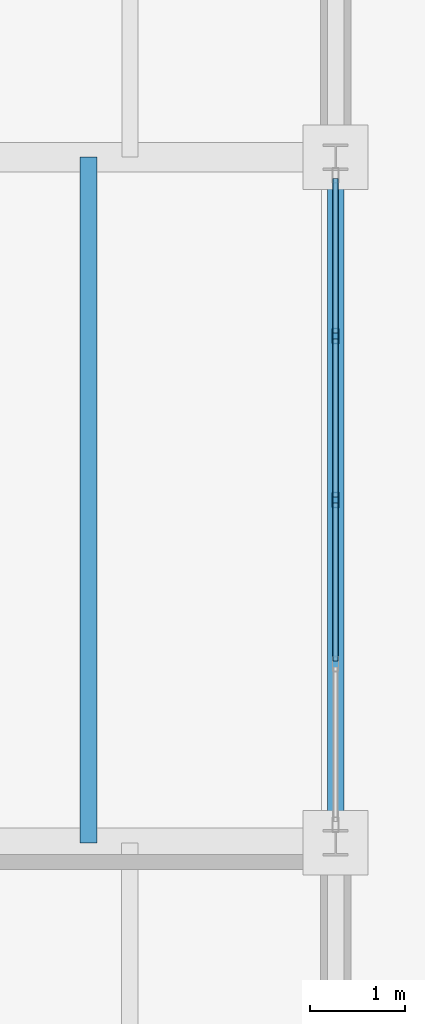
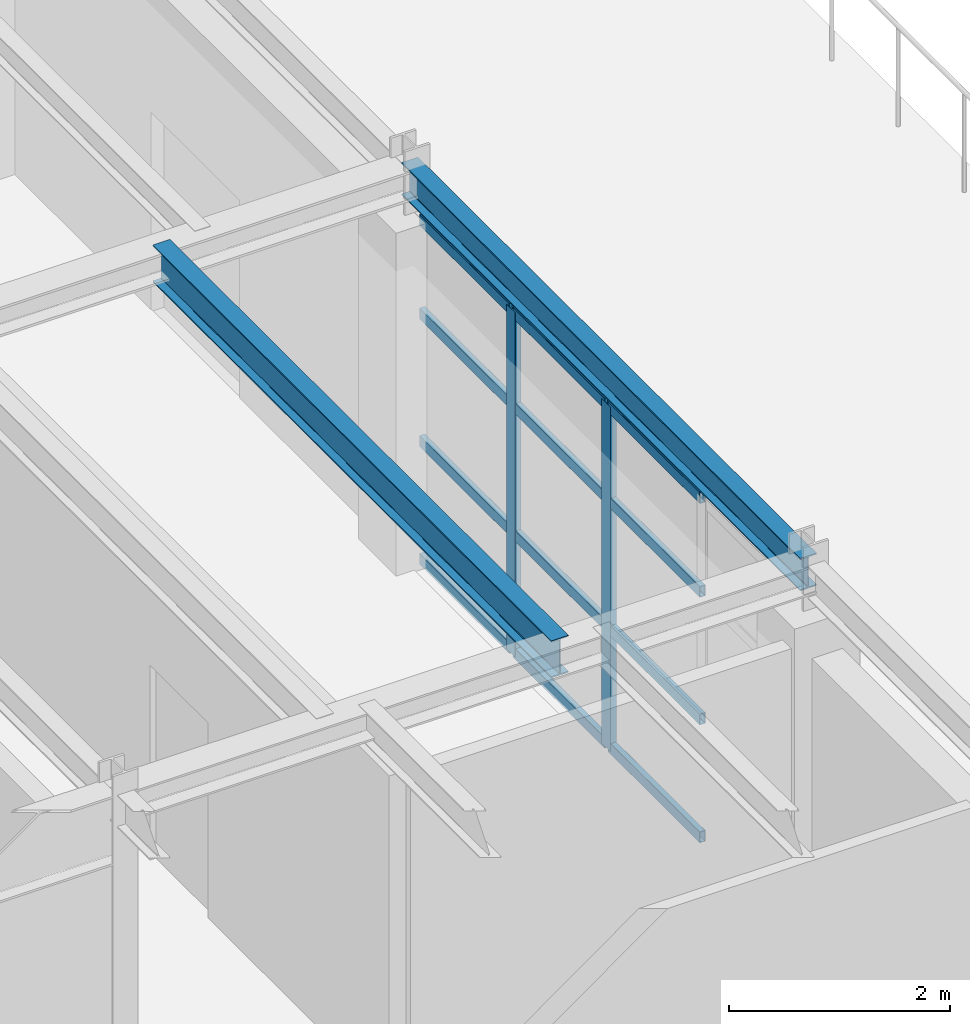
# One storey, part 48 of 101: 14 members, 2 beams, 1 element without a shape of its own.
"""IFC4 building model written with IfcOpenShell, lengths in metres."""

from ifc_helpers import new_model, si_unit, direction, frame, origin, origin_2d, place, context, subcontext, project, spatial, hollow_rectangle, i_section, extrude, material, layer, layer_set, material_profile, profile_set, type_object, element, aggregate, save


model = new_model("IFC4")

# Units and contexts
model_context = context("Model", 3, precision=1e-05, world=origin(), true_north=direction((0.0, 1.0)))
body_context = subcontext(model_context, "Body", "Model", "MODEL_VIEW")
ifc_project = project(units=[si_unit("LENGTHUNIT", "METRE"), si_unit("AREAUNIT", "SQUARE_METRE"), si_unit("VOLUMEUNIT", "CUBIC_METRE"), si_unit("PLANEANGLEUNIT", "RADIAN"), si_unit("MASSUNIT", "GRAM", prefix="KILO")], contexts=[model_context])

# Site, building, storey
site_placement = place(None, origin())
site = spatial("IfcSite", under=ifc_project, at=site_placement, CompositionType="ELEMENT")
building_placement = place(site_placement, origin())
building = spatial("IfcBuilding", under=site, at=building_placement, Name="Kemerveld Promenade Tramway Depot", CompositionType="ELEMENT")
storey_placement = place(building_placement, frame((0.0, 0.0, 9.89990234375)))
storey = spatial("IfcBuildingStorey", under=building, at=storey_placement, Name="L02", CompositionType="ELEMENT", Elevation=9.89990234375)

# Beams
ifc_material_1 = material(Name="Steel S355", Category="steel")
ifc_material_profile_1 = material_profile(ifc_material_1, i_section(OverallWidth=0.172119140625, OverallDepth=0.35791015625, WebThickness=0.008056640625, FlangeThickness=0.012939453125, FilletRadius=0.01025390625, at=origin_2d()), Name="356x171x57 UB")
ifc_profile_set_1 = profile_set([ifc_material_profile_1], Name="Steel S355")
beam_type_1 = type_object("IfcBeamType", Name="BM-G08", PredefinedType="BEAM", material=ifc_profile_set_1)
beam_1_placement = place(storey_placement, frame((50.39990234375, 57.60009765625, 4.106201171875), z_axis=(0.0, 1.0, 0.0), x_axis=(-1.0, 0.0, 0.0)))
element("IfcBeam", 1, at=beam_1_placement, inside=storey, type_object=beam_type_1, Name="BMY-L02-08-J-K", PredefinedType="BEAM", context=body_context, shape_type="SweptSolid", body=[
    extrude(i_section(OverallWidth=0.172119140625, OverallDepth=0.35791015625, WebThickness=0.008056640625, FlangeThickness=0.012939453125, FilletRadius=0.01025390625, at=origin_2d()), origin(), (0.0, 0.0, 1.0), 7.199951171875),
])
ifc_material_profile_2 = material_profile(ifc_material_1, i_section(OverallWidth=0.1787109375, OverallDepth=0.409423828125, WebThickness=0.0087890625, FlangeThickness=0.014404296875, FilletRadius=0.01025390625, at=origin_2d()), Name="406x178x67 UB")
ifc_profile_set_2 = profile_set([ifc_material_profile_2], Name="Steel S355")
beam_type_2 = type_object("IfcBeamType", Name="BM-J05", PredefinedType="JOIST", material=ifc_profile_set_2)
beam_2_placement = place(storey_placement, frame((47.80810546875, 57.60009765625, 4.080322265625), z_axis=(0.0, 1.0, 0.0), x_axis=(-1.0, 0.0, 0.0)))
element("IfcBeam", 2, at=beam_2_placement, inside=storey, type_object=beam_type_2, Name="JST-L02-07-J-2", PredefinedType="JOIST", context=body_context, shape_type="SweptSolid", body=[
    extrude(i_section(OverallWidth=0.1787109375, OverallDepth=0.409423828125, WebThickness=0.0087890625, FlangeThickness=0.014404296875, FilletRadius=0.01025390625, at=origin_2d()), origin(), (0.0, 0.0, 1.0), 7.199951171875),
])

# Curtain wall, members
ifc_material_2 = material(Name="Bronze anodised aluminium and solar glass", Category="aluminium")
ifc_layer = layer(ifc_material_2, 0.159912109375)
ifc_layer_set = layer_set([ifc_layer], Name="CW-SYS-05")
curtain_wall_type = type_object("IfcCurtainWallType", Name="CW-SYS-05", PredefinedType="USERDEFINED", material=ifc_layer_set)
curtain_wall_placement = place(storey_placement, origin())
curtain_wall = element("IfcCurtainWall", 3, at=curtain_wall_placement, inside=storey, type_object=curtain_wall_type, Name="CW-L02-V5E-02", ObjectType="GLAZED_CURTAIN_WALL", PredefinedType="USERDEFINED")
ifc_material_3 = material(Name="Bronze anodised aluminium", Category="aluminium")
ifc_material_profile_3 = material_profile(ifc_material_3, hollow_rectangle(XDim=0.06494140625, YDim=0.159912109375, WallThickness=0.00390625, InnerFilletRadius=0.001953125, OuterFilletRadius=0.00390625, at=origin_2d()), Name="CW-MUL-160x65")
ifc_profile_set_3 = profile_set([ifc_material_profile_3], Name="Bronze anodised aluminium")
member_type_1 = type_object("IfcMemberType", Name="CW-MUL-A", PredefinedType="MULLION", material=ifc_profile_set_3)
member_1_placement = place(storey_placement, frame((50.39990234375, 62.9208984375, 0.0), z_axis=(0.0, 0.0, 1.0), x_axis=(1.0, 0.0, 0.0)))
member_1 = element("IfcMember", 4, at=member_1_placement, type_object=member_type_1, Name="CW05 mullion 2", PredefinedType="MULLION", context=body_context, shape_type="SweptSolid", body=[
    extrude(hollow_rectangle(XDim=0.06494140625, YDim=0.159912109375, WallThickness=0.00390625, InnerFilletRadius=0.001953125, OuterFilletRadius=0.00390625, at=origin_2d()), origin(), (0.0, 0.0, 1.0), 3.800048828125),
])
member_2_placement = place(storey_placement, frame((50.39990234375, 61.199951171875, 0.0), z_axis=(0.0, 0.0, 1.0), x_axis=(1.0, 0.0, 0.0)))
member_2 = element("IfcMember", 5, at=member_2_placement, type_object=member_type_1, Name="CW05 mullion 3", PredefinedType="MULLION", context=body_context, shape_type="SweptSolid", body=[
    extrude(hollow_rectangle(XDim=0.06494140625, YDim=0.159912109375, WallThickness=0.00390625, InnerFilletRadius=0.001953125, OuterFilletRadius=0.00390625, at=origin_2d()), origin(), (0.0, 0.0, 1.0), 3.800048828125),
])
ifc_material_profile_4 = material_profile(ifc_material_3, hollow_rectangle(XDim=0.06005859375, YDim=0.1201171875, WallThickness=0.00390625, InnerFilletRadius=0.001953125, OuterFilletRadius=0.00390625, at=origin_2d()), Name="CW-TRN-120x60")
ifc_profile_set_4 = profile_set([ifc_material_profile_4], Name="Bronze anodised aluminium")
member_type_2 = type_object("IfcMemberType", Name="CW-TRN-A", PredefinedType="USERDEFINED", material=ifc_profile_set_4)
member_3_placement = place(storey_placement, frame((50.39990234375, 64.576904296875, 0.030029296875), z_axis=(0.0, -1.0, 0.0), x_axis=(1.0, 0.0, 0.0)))
member_3 = element("IfcMember", 6, at=member_3_placement, type_object=member_type_2, Name="CW05 transom 1.1", ObjectType="TRANSOM", PredefinedType="USERDEFINED", context=body_context, shape_type="SweptSolid", body=[
    extrude(hollow_rectangle(XDim=0.06005859375, YDim=0.1201171875, WallThickness=0.00390625, InnerFilletRadius=0.001953125, OuterFilletRadius=0.00390625, at=origin_2d()), origin(), (0.0, 0.0, 1.0), 1.62353515625),
])
member_4_placement = place(storey_placement, frame((50.39990234375, 64.576904296875, 1.330078125), z_axis=(0.0, -1.0, 0.0), x_axis=(1.0, 0.0, 0.0)))
member_4 = element("IfcMember", 7, at=member_4_placement, type_object=member_type_2, Name="CW05 transom 1.2", ObjectType="TRANSOM", PredefinedType="USERDEFINED", context=body_context, shape_type="SweptSolid", body=[
    extrude(hollow_rectangle(XDim=0.06005859375, YDim=0.1201171875, WallThickness=0.00390625, InnerFilletRadius=0.001953125, OuterFilletRadius=0.00390625, at=origin_2d()), origin(), (0.0, 0.0, 1.0), 1.62353515625),
])
member_5_placement = place(storey_placement, frame((50.39990234375, 64.576904296875, 2.736083984375), z_axis=(0.0, -1.0, 0.0), x_axis=(1.0, 0.0, 0.0)))
member_5 = element("IfcMember", 8, at=member_5_placement, type_object=member_type_2, Name="CW05 transom 1.3", ObjectType="TRANSOM", PredefinedType="USERDEFINED", context=body_context, shape_type="SweptSolid", body=[
    extrude(hollow_rectangle(XDim=0.06005859375, YDim=0.1201171875, WallThickness=0.00390625, InnerFilletRadius=0.001953125, OuterFilletRadius=0.00390625, at=origin_2d()), origin(), (0.0, 0.0, 1.0), 1.62353515625),
])
member_6_placement = place(storey_placement, frame((50.39990234375, 64.576904296875, 3.77001953125), z_axis=(0.0, -1.0, 0.0), x_axis=(1.0, 0.0, 0.0)))
member_6 = element("IfcMember", 9, at=member_6_placement, type_object=member_type_2, Name="CW05 transom 1.4", ObjectType="TRANSOM", PredefinedType="USERDEFINED", context=body_context, shape_type="SweptSolid", body=[
    extrude(hollow_rectangle(XDim=0.06005859375, YDim=0.1201171875, WallThickness=0.00390625, InnerFilletRadius=0.001953125, OuterFilletRadius=0.00390625, at=origin_2d()), origin(), (0.0, 0.0, 1.0), 1.62353515625),
])
member_7_placement = place(storey_placement, frame((50.39990234375, 62.888427734375, 0.030029296875), z_axis=(0.0, -1.0, 0.0), x_axis=(1.0, 0.0, 0.0)))
member_7 = element("IfcMember", 10, at=member_7_placement, type_object=member_type_2, Name="CW05 transom 2.1", ObjectType="TRANSOM", PredefinedType="USERDEFINED", context=body_context, shape_type="SweptSolid", body=[
    extrude(hollow_rectangle(XDim=0.06005859375, YDim=0.1201171875, WallThickness=0.00390625, InnerFilletRadius=0.001953125, OuterFilletRadius=0.00390625, at=origin_2d()), origin(), (0.0, 0.0, 1.0), 1.656005859375),
])
member_8_placement = place(storey_placement, frame((50.39990234375, 62.888427734375, 1.330078125), z_axis=(0.0, -1.0, 0.0), x_axis=(1.0, 0.0, 0.0)))
member_8 = element("IfcMember", 11, at=member_8_placement, type_object=member_type_2, Name="CW05 transom 2.2", ObjectType="TRANSOM", PredefinedType="USERDEFINED", context=body_context, shape_type="SweptSolid", body=[
    extrude(hollow_rectangle(XDim=0.06005859375, YDim=0.1201171875, WallThickness=0.00390625, InnerFilletRadius=0.001953125, OuterFilletRadius=0.00390625, at=origin_2d()), origin(), (0.0, 0.0, 1.0), 1.656005859375),
])
member_9_placement = place(storey_placement, frame((50.39990234375, 62.888427734375, 2.736083984375), z_axis=(0.0, -1.0, 0.0), x_axis=(1.0, 0.0, 0.0)))
member_9 = element("IfcMember", 12, at=member_9_placement, type_object=member_type_2, Name="CW05 transom 2.3", ObjectType="TRANSOM", PredefinedType="USERDEFINED", context=body_context, shape_type="SweptSolid", body=[
    extrude(hollow_rectangle(XDim=0.06005859375, YDim=0.1201171875, WallThickness=0.00390625, InnerFilletRadius=0.001953125, OuterFilletRadius=0.00390625, at=origin_2d()), origin(), (0.0, 0.0, 1.0), 1.656005859375),
])
member_10_placement = place(storey_placement, frame((50.39990234375, 62.888427734375, 3.77001953125), z_axis=(0.0, -1.0, 0.0), x_axis=(1.0, 0.0, 0.0)))
member_10 = element("IfcMember", 13, at=member_10_placement, type_object=member_type_2, Name="CW05 transom 2.4", ObjectType="TRANSOM", PredefinedType="USERDEFINED", context=body_context, shape_type="SweptSolid", body=[
    extrude(hollow_rectangle(XDim=0.06005859375, YDim=0.1201171875, WallThickness=0.00390625, InnerFilletRadius=0.001953125, OuterFilletRadius=0.00390625, at=origin_2d()), origin(), (0.0, 0.0, 1.0), 1.656005859375),
])
member_11_placement = place(storey_placement, frame((50.39990234375, 61.16748046875, 0.030029296875), z_axis=(0.0, -1.0, 0.0), x_axis=(1.0, 0.0, 0.0)))
member_11 = element("IfcMember", 14, at=member_11_placement, type_object=member_type_2, Name="CW05 transom 3.1", ObjectType="TRANSOM", PredefinedType="USERDEFINED", context=body_context, shape_type="SweptSolid", body=[
    extrude(hollow_rectangle(XDim=0.06005859375, YDim=0.1201171875, WallThickness=0.00390625, InnerFilletRadius=0.001953125, OuterFilletRadius=0.00390625, at=origin_2d()), origin(), (0.0, 0.0, 1.0), 1.65576171875),
])
member_12_placement = place(storey_placement, frame((50.39990234375, 61.16748046875, 1.330078125), z_axis=(0.0, -1.0, 0.0), x_axis=(1.0, 0.0, 0.0)))
member_12 = element("IfcMember", 15, at=member_12_placement, type_object=member_type_2, Name="CW05 transom 3.2", ObjectType="TRANSOM", PredefinedType="USERDEFINED", context=body_context, shape_type="SweptSolid", body=[
    extrude(hollow_rectangle(XDim=0.06005859375, YDim=0.1201171875, WallThickness=0.00390625, InnerFilletRadius=0.001953125, OuterFilletRadius=0.00390625, at=origin_2d()), origin(), (0.0, 0.0, 1.0), 1.65576171875),
])
member_13_placement = place(storey_placement, frame((50.39990234375, 61.16748046875, 2.736083984375), z_axis=(0.0, -1.0, 0.0), x_axis=(1.0, 0.0, 0.0)))
member_13 = element("IfcMember", 16, at=member_13_placement, type_object=member_type_2, Name="CW05 transom 3.3", ObjectType="TRANSOM", PredefinedType="USERDEFINED", context=body_context, shape_type="SweptSolid", body=[
    extrude(hollow_rectangle(XDim=0.06005859375, YDim=0.1201171875, WallThickness=0.00390625, InnerFilletRadius=0.001953125, OuterFilletRadius=0.00390625, at=origin_2d()), origin(), (0.0, 0.0, 1.0), 1.65576171875),
])
member_14_placement = place(storey_placement, frame((50.39990234375, 61.16748046875, 3.77001953125), z_axis=(0.0, -1.0, 0.0), x_axis=(1.0, 0.0, 0.0)))
member_14 = element("IfcMember", 17, at=member_14_placement, type_object=member_type_2, Name="CW05 transom 3.4", ObjectType="TRANSOM", PredefinedType="USERDEFINED", context=body_context, shape_type="SweptSolid", body=[
    extrude(hollow_rectangle(XDim=0.06005859375, YDim=0.1201171875, WallThickness=0.00390625, InnerFilletRadius=0.001953125, OuterFilletRadius=0.00390625, at=origin_2d()), origin(), (0.0, 0.0, 1.0), 1.65576171875),
])
aggregate(curtain_wall, [member_1, member_2, member_3, member_4, member_5, member_6, member_7, member_8, member_9, member_10, member_11, member_12, member_13, member_14])

save(model, "model.ifc")
